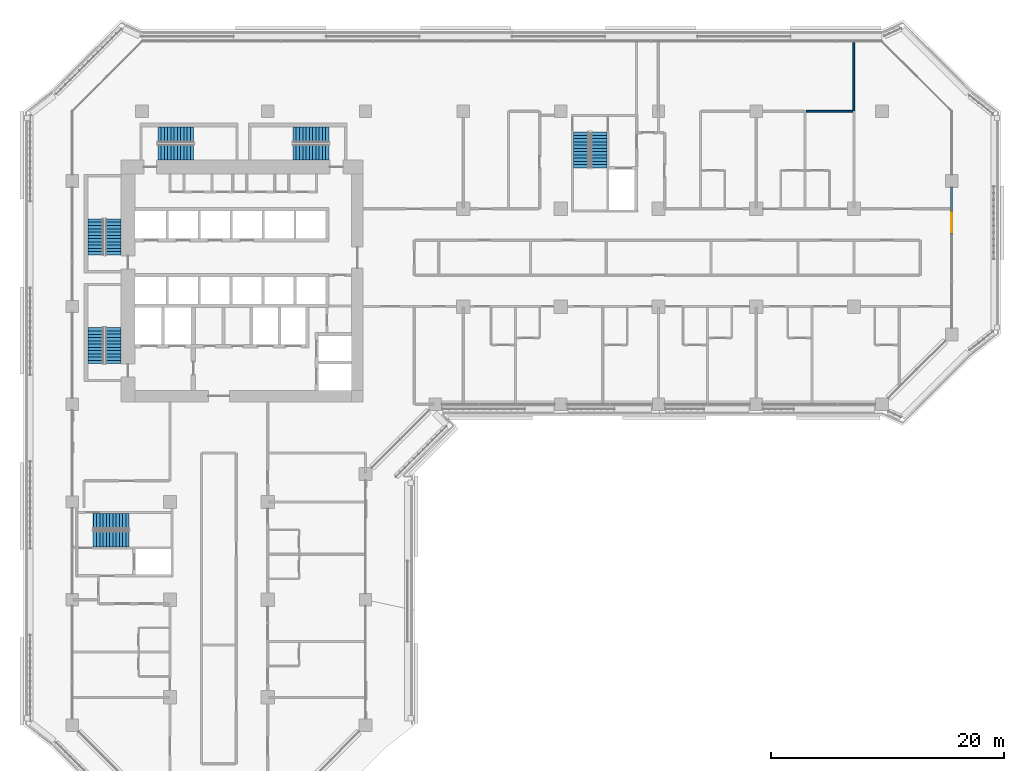
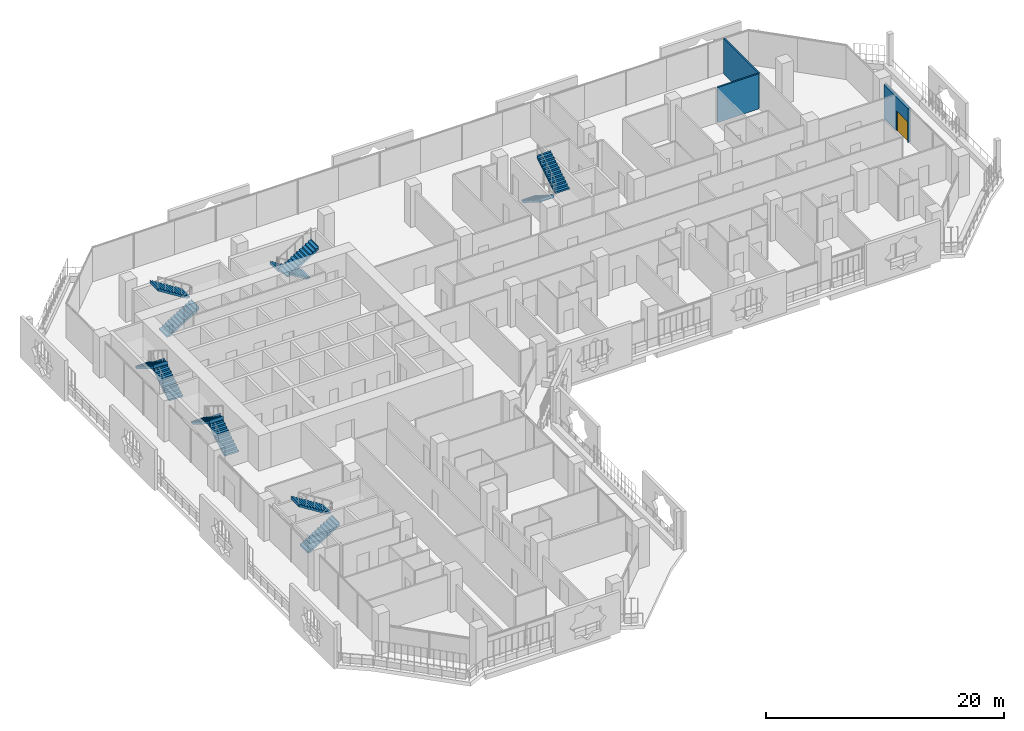
# One storey, part 18 of 25: 12 stair flights, 3 walls, 1 door, 1 opening, 6 elements without a shape of their own.
"""IFC4 building model written with IfcOpenShell, lengths in metres."""

from ifc_helpers import new_model, si_unit, direction, frame, frame_2d, origin, place, context, subcontext, project, spatial, polyline, rectangle, outline, extrude, material, layer, layer_set, type_object, element, fill, aggregate, save


model = new_model("IFC4")

# Units and contexts
model_context = context("Model", 3, precision=1e-05, world=origin(), true_north=direction((0.0, 1.0)))
body_context = subcontext(model_context, "Body", "Model", "MODEL_VIEW")
ifc_project = project(units=[si_unit("LENGTHUNIT", "METRE"), si_unit("AREAUNIT", "SQUARE_METRE"), si_unit("VOLUMEUNIT", "CUBIC_METRE"), si_unit("PLANEANGLEUNIT", "RADIAN"), si_unit("MASSUNIT", "GRAM", prefix="KILO")], contexts=[model_context])

# Site, building, storey
site_placement = place(None, origin())
site = spatial("IfcSite", under=ifc_project, at=site_placement, CompositionType="ELEMENT")
building_placement = place(site_placement, origin())
building = spatial("IfcBuilding", under=site, at=building_placement, Name="Kawkab Arch Medical Tower", CompositionType="ELEMENT")
storey_placement = place(building_placement, frame((0.0, 0.0, 132.39990234375)))
storey = spatial("IfcBuildingStorey", under=building, at=storey_placement, Name="L30", CompositionType="ELEMENT", Elevation=132.39990234375)

# Wall, opening, door
ifc_material_1 = material(Name="Bronze clad insulated wall panel")
ifc_layer_1 = layer(ifc_material_1, 0.25)
ifc_layer_set_1 = layer_set([ifc_layer_1], Name="Bronze clad insulated wall panel")
wall_type_1 = type_object("IfcWallType", Name="External wall bay 250", PredefinedType="SOLIDWALL", material=ifc_layer_set_1)
wall_1_placement = place(storey_placement, frame((75.60009765625, -10.583251953125, 0.0), z_axis=(0.0, 0.0, 1.0), x_axis=(0.0, 1.0, 0.0)))
wall_1 = element("IfcWall", 1, at=wall_1_placement, inside=storey, type_object=wall_type_1, Name="External wall bay L30.R09.1.3", PredefinedType="SOLIDWALL", context=body_context, shape_type="SweptSolid", body=[
    extrude(rectangle(XDim=4.033203125, YDim=0.25, at=frame_2d((2.0166015625, 0.0))), origin(), (0.0, 0.0, 1.0), 3.47998046875),
])
opening_placement = place(wall_1_placement, frame((0.11669921875, 0.0, 0.0)))
opening = element("IfcOpeningElement", 2, at=opening_placement, cuts=wall_1, Name="Opening W25-701", PredefinedType="OPENING", context=body_context, shape_type="SweptSolid", body=[
    extrude(rectangle(XDim=1.800048828125, YDim=2.10009765625, at=frame_2d((0.89990234375, 1.050048828125))), frame((0.0, 0.135009765625, 0.0), z_axis=(0.0, -1.0, 0.0), x_axis=(1.0, 0.0, 0.0)), (0.0, 0.0, 1.0), 0.27001953125),
])
ifc_material_2 = material(Name="Bronze anodised aluminium door with tinted glass", Category="aluminium")
door_type = type_object("IfcDoorType", Name="Double external door 1800 x 2100", OperationType="DOUBLE_DOOR_SINGLE_SWING", PredefinedType="DOOR", material=ifc_material_2)
door_placement = place(opening_placement, origin())
door = element("IfcDoor", 3, at=door_placement, inside=storey, type_object=door_type, Name="External door L30.R09.1.3", OperationType="DOUBLE_DOOR_SINGLE_SWING", OverallHeight=2.10009765625, OverallWidth=1.800048828125, PredefinedType="DOOR", context=body_context, shape_type="SweptSolid", body=[
    extrude(rectangle(XDim=1.800048828125, YDim=2.10009765625, at=frame_2d((0.89990234375, 1.050048828125))), frame((0.0, 0.02490234375, 0.0), z_axis=(0.0, -1.0, 0.0), x_axis=(1.0, 0.0, 0.0)), (0.0, 0.0, 1.0), 0.050048828125),
])
fill(opening, door)

# Walls
ifc_material_3 = material(Name="Gypsum board partition on steel studs, mineral wool", Category="steel")
ifc_layer_2 = layer(ifc_material_3, 0.14990234375)
ifc_layer_set_2 = layer_set([ifc_layer_2], Name="Gypsum board partition on steel studs, mineral wool")
wall_type_2 = type_object("IfcWallType", Name="Partition 150", PredefinedType="PARTITIONING", material=ifc_layer_set_2)
wall_2_placement = place(storey_placement, frame((63.094970703125, 0.0, 0.0), z_axis=(0.0, 0.0, 1.0), x_axis=(1.0, 0.0, 0.0)))
element("IfcWall", 4, at=wall_2_placement, inside=storey, type_object=wall_type_2, Name="Partition 150 w053", PredefinedType="PARTITIONING", context=body_context, shape_type="SweptSolid", body=[
    extrude(rectangle(XDim=4.010009765625, YDim=0.14990234375, at=frame_2d((2.0048828125, 0.0))), origin(), (0.0, 0.0, 1.0), 3.60009765625),
])
wall_3_placement = place(storey_placement, frame((67.179931640625, 0.02001953125, 0.0), z_axis=(0.0, 0.0, 1.0), x_axis=(0.0, 1.0, 0.0)))
element("IfcWall", 5, at=wall_3_placement, inside=storey, type_object=wall_type_2, Name="Partition 150 w087", PredefinedType="PARTITIONING", context=body_context, shape_type="SweptSolid", body=[
    extrude(rectangle(XDim=5.89990234375, YDim=0.14990234375, at=frame_2d((2.949951171875, 0.0))), origin(), (0.0, 0.0, 1.0), 3.60009765625),
])

# Stair, stair flights
ifc_material_4 = material(Name="Concrete C40/50", Category="concrete")
stair_type = type_object("IfcStairType", Name="Exit stair 1350", PredefinedType="HALF_TURN_STAIR", material=ifc_material_4)
placement = place(storey_placement, origin())
stair_1 = element("IfcStair", 6, at=placement, inside=storey, type_object=stair_type, Name="L30 Exit stair ST1", PredefinedType="HALF_TURN_STAIR")
ifc_material_5 = material(Name="Concrete C40/50", Category="concrete")
stair_flight_type = type_object("IfcStairFlightType", Name="Exit stair flight 1350", PredefinedType="STRAIGHT", material=ifc_material_5)
stair_flight_1_placement = place(storey_placement, frame((3.52490234375, -12.35009765625, 0.0), z_axis=(0.0, 0.0, 1.0), x_axis=(0.0, 1.0, 0.0)))
stair_flight_1 = element("IfcStairFlight", 7, at=stair_flight_1_placement, type_object=stair_flight_type, Name="ST1 flight 1", NumberOfRisers=12, NumberOfTreads=11, PredefinedType="STRAIGHT", RiserHeight=0.175, TreadLength=0.28, context=body_context, shape_type="SweptSolid", body=[
    extrude(outline(polyline([(-0.0029296875, 0.0), (-0.0029296875, 0.175048828125), (0.0, 0.175048828125), (0.280029296875, 0.175048828125), (0.280029296875, 0.35009765625), (0.56005859375, 0.35009765625), (0.56005859375, 0.52490234375), (0.840087890625, 0.52490234375), (0.840087890625, 0.699951171875), (1.1201171875, 0.699951171875), (1.1201171875, 0.875), (1.39990234375, 0.875), (1.39990234375, 1.050048828125), (1.679931640625, 1.050048828125), (1.679931640625, 1.22509765625), (1.9599609375, 1.22509765625), (1.9599609375, 1.39990234375), (2.239990234375, 1.39990234375), (2.239990234375, 1.574951171875), (2.52001953125, 1.574951171875), (2.52001953125, 1.75), (2.800048828125, 1.75), (2.800048828125, 1.925048828125), (3.080078125, 1.925048828125), (3.080078125, 2.10009765625), (3.0830078125, 2.10009765625), (3.0830078125, 1.748291015625), (3.080078125, 1.748291015625), (0.28271484375, 0.0), (-0.0029296875, 0.0)])), frame((0.0, 0.675048828125, 0.0), z_axis=(0.0, -1.0, 0.0), x_axis=(1.0, 0.0, 0.0)), (0.0, 0.0, 1.0), 1.35009765625),
])
stair_flight_2_placement = place(storey_placement, frame((2.02490234375, -9.27001953125, 2.10009765625), z_axis=(0.0, 0.0, 1.0), x_axis=(0.0, -1.0, 0.0)))
stair_flight_2 = element("IfcStairFlight", 8, at=stair_flight_2_placement, type_object=stair_flight_type, Name="ST1 flight 2", NumberOfRisers=12, NumberOfTreads=11, PredefinedType="STRAIGHT", RiserHeight=0.175, TreadLength=0.28, context=body_context, shape_type="SweptSolid", body=[
    extrude(outline(polyline([(-0.0029296875, 0.0), (-0.0029296875, 0.175048828125), (0.0, 0.175048828125), (0.280029296875, 0.175048828125), (0.280029296875, 0.35009765625), (0.56005859375, 0.35009765625), (0.56005859375, 0.52490234375), (0.840087890625, 0.52490234375), (0.840087890625, 0.699951171875), (1.1201171875, 0.699951171875), (1.1201171875, 0.875), (1.39990234375, 0.875), (1.39990234375, 1.050048828125), (1.679931640625, 1.050048828125), (1.679931640625, 1.22509765625), (1.9599609375, 1.22509765625), (1.9599609375, 1.39990234375), (2.239990234375, 1.39990234375), (2.239990234375, 1.574951171875), (2.52001953125, 1.574951171875), (2.52001953125, 1.75), (2.800048828125, 1.75), (2.800048828125, 1.925048828125), (3.080078125, 1.925048828125), (3.080078125, 2.10009765625), (3.0830078125, 2.10009765625), (3.0830078125, 1.748291015625), (3.080078125, 1.748291015625), (0.28271484375, 0.0), (-0.0029296875, 0.0)])), frame((0.0, 0.675048828125, 0.0), z_axis=(0.0, -1.0, 0.0), x_axis=(1.0, 0.0, 0.0)), (0.0, 0.0, 1.0), 1.35009765625),
])
aggregate(stair_1, [stair_flight_1, stair_flight_2])

stair_2 = element("IfcStair", 9, at=placement, inside=storey, type_object=stair_type, Name="L30 Exit stair ST2", PredefinedType="HALF_TURN_STAIR")
stair_flight_3_placement = place(storey_placement, frame((3.52490234375, -21.699951171875, 0.0), z_axis=(0.0, 0.0, 1.0), x_axis=(0.0, 1.0, 0.0)))
stair_flight_3 = element("IfcStairFlight", 10, at=stair_flight_3_placement, type_object=stair_flight_type, Name="ST2 flight 1", NumberOfRisers=12, NumberOfTreads=11, PredefinedType="STRAIGHT", RiserHeight=0.175, TreadLength=0.28, context=body_context, shape_type="SweptSolid", body=[
    extrude(outline(polyline([(-0.0029296875, 0.0), (-0.0029296875, 0.175048828125), (0.0, 0.175048828125), (0.280029296875, 0.175048828125), (0.280029296875, 0.35009765625), (0.56005859375, 0.35009765625), (0.56005859375, 0.52490234375), (0.840087890625, 0.52490234375), (0.840087890625, 0.699951171875), (1.1201171875, 0.699951171875), (1.1201171875, 0.875), (1.39990234375, 0.875), (1.39990234375, 1.050048828125), (1.679931640625, 1.050048828125), (1.679931640625, 1.22509765625), (1.9599609375, 1.22509765625), (1.9599609375, 1.39990234375), (2.239990234375, 1.39990234375), (2.239990234375, 1.574951171875), (2.52001953125, 1.574951171875), (2.52001953125, 1.75), (2.800048828125, 1.75), (2.800048828125, 1.925048828125), (3.080078125, 1.925048828125), (3.080078125, 2.10009765625), (3.0830078125, 2.10009765625), (3.0830078125, 1.748291015625), (3.080078125, 1.748291015625), (0.28271484375, 0.0), (-0.0029296875, 0.0)])), frame((0.0, 0.675048828125, 0.0), z_axis=(0.0, -1.0, 0.0), x_axis=(1.0, 0.0, 0.0)), (0.0, 0.0, 1.0), 1.35009765625),
])
stair_flight_4_placement = place(storey_placement, frame((2.02490234375, -18.6201171875, 2.10009765625), z_axis=(0.0, 0.0, 1.0), x_axis=(0.0, -1.0, 0.0)))
stair_flight_4 = element("IfcStairFlight", 11, at=stair_flight_4_placement, type_object=stair_flight_type, Name="ST2 flight 2", NumberOfRisers=12, NumberOfTreads=11, PredefinedType="STRAIGHT", RiserHeight=0.175, TreadLength=0.28, context=body_context, shape_type="SweptSolid", body=[
    extrude(outline(polyline([(-0.0029296875, 0.0), (-0.0029296875, 0.175048828125), (0.0, 0.175048828125), (0.280029296875, 0.175048828125), (0.280029296875, 0.35009765625), (0.56005859375, 0.35009765625), (0.56005859375, 0.52490234375), (0.840087890625, 0.52490234375), (0.840087890625, 0.699951171875), (1.1201171875, 0.699951171875), (1.1201171875, 0.875), (1.39990234375, 0.875), (1.39990234375, 1.050048828125), (1.679931640625, 1.050048828125), (1.679931640625, 1.22509765625), (1.9599609375, 1.22509765625), (1.9599609375, 1.39990234375), (2.239990234375, 1.39990234375), (2.239990234375, 1.574951171875), (2.52001953125, 1.574951171875), (2.52001953125, 1.75), (2.800048828125, 1.75), (2.800048828125, 1.925048828125), (3.080078125, 1.925048828125), (3.080078125, 2.10009765625), (3.0830078125, 2.10009765625), (3.0830078125, 1.748291015625), (3.080078125, 1.748291015625), (0.28271484375, 0.0), (-0.0029296875, 0.0)])), frame((0.0, 0.675048828125, 0.0), z_axis=(0.0, -1.0, 0.0), x_axis=(1.0, 0.0, 0.0)), (0.0, 0.0, 1.0), 1.35009765625),
])
aggregate(stair_2, [stair_flight_3, stair_flight_4])

stair_3 = element("IfcStair", 12, at=placement, inside=storey, type_object=stair_type, Name="L30 Exit stair ST3", PredefinedType="HALF_TURN_STAIR")
stair_flight_5_placement = place(storey_placement, frame((7.35009765625, -3.52490234375, 0.0), z_axis=(0.0, 0.0, 1.0), x_axis=(1.0, 0.0, 0.0)))
stair_flight_5 = element("IfcStairFlight", 13, at=stair_flight_5_placement, type_object=stair_flight_type, Name="ST3 flight 1", NumberOfRisers=12, NumberOfTreads=11, PredefinedType="STRAIGHT", RiserHeight=0.175, TreadLength=0.28, context=body_context, shape_type="SweptSolid", body=[
    extrude(outline(polyline([(-0.0029296875, 0.0), (-0.0029296875, 0.175048828125), (0.0, 0.175048828125), (0.280029296875, 0.175048828125), (0.280029296875, 0.35009765625), (0.56005859375, 0.35009765625), (0.56005859375, 0.52490234375), (0.840087890625, 0.52490234375), (0.840087890625, 0.699951171875), (1.1201171875, 0.699951171875), (1.1201171875, 0.875), (1.39990234375, 0.875), (1.39990234375, 1.050048828125), (1.679931640625, 1.050048828125), (1.679931640625, 1.22509765625), (1.9599609375, 1.22509765625), (1.9599609375, 1.39990234375), (2.239990234375, 1.39990234375), (2.239990234375, 1.574951171875), (2.52001953125, 1.574951171875), (2.52001953125, 1.75), (2.800048828125, 1.75), (2.800048828125, 1.925048828125), (3.080078125, 1.925048828125), (3.080078125, 2.10009765625), (3.0830078125, 2.10009765625), (3.0830078125, 1.748291015625), (3.080078125, 1.748291015625), (0.28271484375, 0.0), (-0.0029296875, 0.0)])), frame((0.0, 0.675048828125, 0.0), z_axis=(0.0, -1.0, 0.0), x_axis=(1.0, 0.0, 0.0)), (0.0, 0.0, 1.0), 1.35009765625),
])
stair_flight_6_placement = place(storey_placement, frame((10.429931640625, -2.02490234375, 2.10009765625), z_axis=(0.0, 0.0, 1.0), x_axis=(-1.0, 0.0, 0.0)))
stair_flight_6 = element("IfcStairFlight", 14, at=stair_flight_6_placement, type_object=stair_flight_type, Name="ST3 flight 2", NumberOfRisers=12, NumberOfTreads=11, PredefinedType="STRAIGHT", RiserHeight=0.175, TreadLength=0.28, context=body_context, shape_type="SweptSolid", body=[
    extrude(outline(polyline([(-0.0029296875, 0.0), (-0.0029296875, 0.175048828125), (0.0, 0.175048828125), (0.280029296875, 0.175048828125), (0.280029296875, 0.35009765625), (0.56005859375, 0.35009765625), (0.56005859375, 0.52490234375), (0.840087890625, 0.52490234375), (0.840087890625, 0.699951171875), (1.1201171875, 0.699951171875), (1.1201171875, 0.875), (1.39990234375, 0.875), (1.39990234375, 1.050048828125), (1.679931640625, 1.050048828125), (1.679931640625, 1.22509765625), (1.9599609375, 1.22509765625), (1.9599609375, 1.39990234375), (2.239990234375, 1.39990234375), (2.239990234375, 1.574951171875), (2.52001953125, 1.574951171875), (2.52001953125, 1.75), (2.800048828125, 1.75), (2.800048828125, 1.925048828125), (3.080078125, 1.925048828125), (3.080078125, 2.10009765625), (3.0830078125, 2.10009765625), (3.0830078125, 1.748291015625), (3.080078125, 1.748291015625), (0.28271484375, 0.0), (-0.0029296875, 0.0)])), frame((0.0, 0.675048828125, 0.0), z_axis=(0.0, -1.0, 0.0), x_axis=(1.0, 0.0, 0.0)), (0.0, 0.0, 1.0), 1.35009765625),
])
aggregate(stair_3, [stair_flight_5, stair_flight_6])

stair_4 = element("IfcStair", 15, at=placement, inside=storey, type_object=stair_type, Name="L30 Exit stair ST4", PredefinedType="HALF_TURN_STAIR")
stair_flight_7_placement = place(storey_placement, frame((22.050048828125, -2.02490234375, 0.0), z_axis=(0.0, 0.0, 1.0), x_axis=(-1.0, 0.0, 0.0)))
stair_flight_7 = element("IfcStairFlight", 16, at=stair_flight_7_placement, type_object=stair_flight_type, Name="ST4 flight 1", NumberOfRisers=12, NumberOfTreads=11, PredefinedType="STRAIGHT", RiserHeight=0.175, TreadLength=0.28, context=body_context, shape_type="SweptSolid", body=[
    extrude(outline(polyline([(-0.0029296875, 0.0), (-0.0029296875, 0.175048828125), (0.0, 0.175048828125), (0.280029296875, 0.175048828125), (0.280029296875, 0.35009765625), (0.56005859375, 0.35009765625), (0.56005859375, 0.52490234375), (0.840087890625, 0.52490234375), (0.840087890625, 0.699951171875), (1.1201171875, 0.699951171875), (1.1201171875, 0.875), (1.39990234375, 0.875), (1.39990234375, 1.050048828125), (1.679931640625, 1.050048828125), (1.679931640625, 1.22509765625), (1.9599609375, 1.22509765625), (1.9599609375, 1.39990234375), (2.239990234375, 1.39990234375), (2.239990234375, 1.574951171875), (2.52001953125, 1.574951171875), (2.52001953125, 1.75), (2.800048828125, 1.75), (2.800048828125, 1.925048828125), (3.080078125, 1.925048828125), (3.080078125, 2.10009765625), (3.0830078125, 2.10009765625), (3.0830078125, 1.748291015625), (3.080078125, 1.748291015625), (0.28271484375, 0.0), (-0.0029296875, 0.0)])), frame((0.0, 0.675048828125, 0.0), z_axis=(0.0, -1.0, 0.0), x_axis=(1.0, 0.0, 0.0)), (0.0, 0.0, 1.0), 1.35009765625),
])
stair_flight_8_placement = place(storey_placement, frame((18.969970703125, -3.52490234375, 2.10009765625), z_axis=(0.0, 0.0, 1.0), x_axis=(1.0, 0.0, 0.0)))
stair_flight_8 = element("IfcStairFlight", 17, at=stair_flight_8_placement, type_object=stair_flight_type, Name="ST4 flight 2", NumberOfRisers=12, NumberOfTreads=11, PredefinedType="STRAIGHT", RiserHeight=0.175, TreadLength=0.28, context=body_context, shape_type="SweptSolid", body=[
    extrude(outline(polyline([(-0.0029296875, 0.0), (-0.0029296875, 0.175048828125), (0.0, 0.175048828125), (0.280029296875, 0.175048828125), (0.280029296875, 0.35009765625), (0.56005859375, 0.35009765625), (0.56005859375, 0.52490234375), (0.840087890625, 0.52490234375), (0.840087890625, 0.699951171875), (1.1201171875, 0.699951171875), (1.1201171875, 0.875), (1.39990234375, 0.875), (1.39990234375, 1.050048828125), (1.679931640625, 1.050048828125), (1.679931640625, 1.22509765625), (1.9599609375, 1.22509765625), (1.9599609375, 1.39990234375), (2.239990234375, 1.39990234375), (2.239990234375, 1.574951171875), (2.52001953125, 1.574951171875), (2.52001953125, 1.75), (2.800048828125, 1.75), (2.800048828125, 1.925048828125), (3.080078125, 1.925048828125), (3.080078125, 2.10009765625), (3.0830078125, 2.10009765625), (3.0830078125, 1.748291015625), (3.080078125, 1.748291015625), (0.28271484375, 0.0), (-0.0029296875, 0.0)])), frame((0.0, 0.675048828125, 0.0), z_axis=(0.0, -1.0, 0.0), x_axis=(1.0, 0.0, 0.0)), (0.0, 0.0, 1.0), 1.35009765625),
])
aggregate(stair_4, [stair_flight_7, stair_flight_8])

stair_5 = element("IfcStair", 18, at=placement, inside=storey, type_object=stair_type, Name="L30 Exit stair ST5", PredefinedType="HALF_TURN_STAIR")
stair_flight_9_placement = place(storey_placement, frame((43.77490234375, -1.800048828125, 0.0), z_axis=(0.0, 0.0, 1.0), x_axis=(0.0, -1.0, 0.0)))
stair_flight_9 = element("IfcStairFlight", 19, at=stair_flight_9_placement, type_object=stair_flight_type, Name="ST5 flight 1", NumberOfRisers=12, NumberOfTreads=11, PredefinedType="STRAIGHT", RiserHeight=0.175, TreadLength=0.28, context=body_context, shape_type="SweptSolid", body=[
    extrude(outline(polyline([(-0.0029296875, 0.0), (-0.0029296875, 0.175048828125), (0.0, 0.175048828125), (0.280029296875, 0.175048828125), (0.280029296875, 0.35009765625), (0.56005859375, 0.35009765625), (0.56005859375, 0.52490234375), (0.840087890625, 0.52490234375), (0.840087890625, 0.699951171875), (1.1201171875, 0.699951171875), (1.1201171875, 0.875), (1.39990234375, 0.875), (1.39990234375, 1.050048828125), (1.679931640625, 1.050048828125), (1.679931640625, 1.22509765625), (1.9599609375, 1.22509765625), (1.9599609375, 1.39990234375), (2.239990234375, 1.39990234375), (2.239990234375, 1.574951171875), (2.52001953125, 1.574951171875), (2.52001953125, 1.75), (2.800048828125, 1.75), (2.800048828125, 1.925048828125), (3.080078125, 1.925048828125), (3.080078125, 2.10009765625), (3.0830078125, 2.10009765625), (3.0830078125, 1.748291015625), (3.080078125, 1.748291015625), (0.28271484375, 0.0), (-0.0029296875, 0.0)])), frame((0.0, 0.675048828125, 0.0), z_axis=(0.0, -1.0, 0.0), x_axis=(1.0, 0.0, 0.0)), (0.0, 0.0, 1.0), 1.35009765625),
])
stair_flight_10_placement = place(storey_placement, frame((45.27490234375, -4.8798828125, 2.10009765625), z_axis=(0.0, 0.0, 1.0), x_axis=(0.0, 1.0, 0.0)))
stair_flight_10 = element("IfcStairFlight", 20, at=stair_flight_10_placement, type_object=stair_flight_type, Name="ST5 flight 2", NumberOfRisers=12, NumberOfTreads=11, PredefinedType="STRAIGHT", RiserHeight=0.175, TreadLength=0.28, context=body_context, shape_type="SweptSolid", body=[
    extrude(outline(polyline([(-0.0029296875, 0.0), (-0.0029296875, 0.175048828125), (0.0, 0.175048828125), (0.280029296875, 0.175048828125), (0.280029296875, 0.35009765625), (0.56005859375, 0.35009765625), (0.56005859375, 0.52490234375), (0.840087890625, 0.52490234375), (0.840087890625, 0.699951171875), (1.1201171875, 0.699951171875), (1.1201171875, 0.875), (1.39990234375, 0.875), (1.39990234375, 1.050048828125), (1.679931640625, 1.050048828125), (1.679931640625, 1.22509765625), (1.9599609375, 1.22509765625), (1.9599609375, 1.39990234375), (2.239990234375, 1.39990234375), (2.239990234375, 1.574951171875), (2.52001953125, 1.574951171875), (2.52001953125, 1.75), (2.800048828125, 1.75), (2.800048828125, 1.925048828125), (3.080078125, 1.925048828125), (3.080078125, 2.10009765625), (3.0830078125, 2.10009765625), (3.0830078125, 1.748291015625), (3.080078125, 1.748291015625), (0.28271484375, 0.0), (-0.0029296875, 0.0)])), frame((0.0, 0.675048828125, 0.0), z_axis=(0.0, -1.0, 0.0), x_axis=(1.0, 0.0, 0.0)), (0.0, 0.0, 1.0), 1.35009765625),
])
aggregate(stair_5, [stair_flight_9, stair_flight_10])

stair_6 = element("IfcStair", 21, at=placement, inside=storey, type_object=stair_type, Name="L30 Exit stair ST6", PredefinedType="HALF_TURN_STAIR")
stair_flight_11_placement = place(storey_placement, frame((1.800048828125, -36.77490234375, 0.0), z_axis=(0.0, 0.0, 1.0), x_axis=(1.0, 0.0, 0.0)))
stair_flight_11 = element("IfcStairFlight", 22, at=stair_flight_11_placement, type_object=stair_flight_type, Name="ST6 flight 1", NumberOfRisers=12, NumberOfTreads=11, PredefinedType="STRAIGHT", RiserHeight=0.175, TreadLength=0.28, context=body_context, shape_type="SweptSolid", body=[
    extrude(outline(polyline([(-0.0029296875, 0.0), (-0.0029296875, 0.175048828125), (0.0, 0.175048828125), (0.280029296875, 0.175048828125), (0.280029296875, 0.35009765625), (0.56005859375, 0.35009765625), (0.56005859375, 0.52490234375), (0.840087890625, 0.52490234375), (0.840087890625, 0.699951171875), (1.1201171875, 0.699951171875), (1.1201171875, 0.875), (1.39990234375, 0.875), (1.39990234375, 1.050048828125), (1.679931640625, 1.050048828125), (1.679931640625, 1.22509765625), (1.9599609375, 1.22509765625), (1.9599609375, 1.39990234375), (2.239990234375, 1.39990234375), (2.239990234375, 1.574951171875), (2.52001953125, 1.574951171875), (2.52001953125, 1.75), (2.800048828125, 1.75), (2.800048828125, 1.925048828125), (3.080078125, 1.925048828125), (3.080078125, 2.10009765625), (3.0830078125, 2.10009765625), (3.0830078125, 1.748291015625), (3.080078125, 1.748291015625), (0.28271484375, 0.0), (-0.0029296875, 0.0)])), frame((0.0, 0.675048828125, 0.0), z_axis=(0.0, -1.0, 0.0), x_axis=(1.0, 0.0, 0.0)), (0.0, 0.0, 1.0), 1.35009765625),
])
stair_flight_12_placement = place(storey_placement, frame((4.8798828125, -35.27490234375, 2.10009765625), z_axis=(0.0, 0.0, 1.0), x_axis=(-1.0, 0.0, 0.0)))
stair_flight_12 = element("IfcStairFlight", 23, at=stair_flight_12_placement, type_object=stair_flight_type, Name="ST6 flight 2", NumberOfRisers=12, NumberOfTreads=11, PredefinedType="STRAIGHT", RiserHeight=0.175, TreadLength=0.28, context=body_context, shape_type="SweptSolid", body=[
    extrude(outline(polyline([(-0.0029296875, 0.0), (-0.0029296875, 0.175048828125), (0.0, 0.175048828125), (0.280029296875, 0.175048828125), (0.280029296875, 0.35009765625), (0.56005859375, 0.35009765625), (0.56005859375, 0.52490234375), (0.840087890625, 0.52490234375), (0.840087890625, 0.699951171875), (1.1201171875, 0.699951171875), (1.1201171875, 0.875), (1.39990234375, 0.875), (1.39990234375, 1.050048828125), (1.679931640625, 1.050048828125), (1.679931640625, 1.22509765625), (1.9599609375, 1.22509765625), (1.9599609375, 1.39990234375), (2.239990234375, 1.39990234375), (2.239990234375, 1.574951171875), (2.52001953125, 1.574951171875), (2.52001953125, 1.75), (2.800048828125, 1.75), (2.800048828125, 1.925048828125), (3.080078125, 1.925048828125), (3.080078125, 2.10009765625), (3.0830078125, 2.10009765625), (3.0830078125, 1.748291015625), (3.080078125, 1.748291015625), (0.28271484375, 0.0), (-0.0029296875, 0.0)])), frame((0.0, 0.675048828125, 0.0), z_axis=(0.0, -1.0, 0.0), x_axis=(1.0, 0.0, 0.0)), (0.0, 0.0, 1.0), 1.35009765625),
])
aggregate(stair_6, [stair_flight_11, stair_flight_12])

save(model, "model.ifc")
